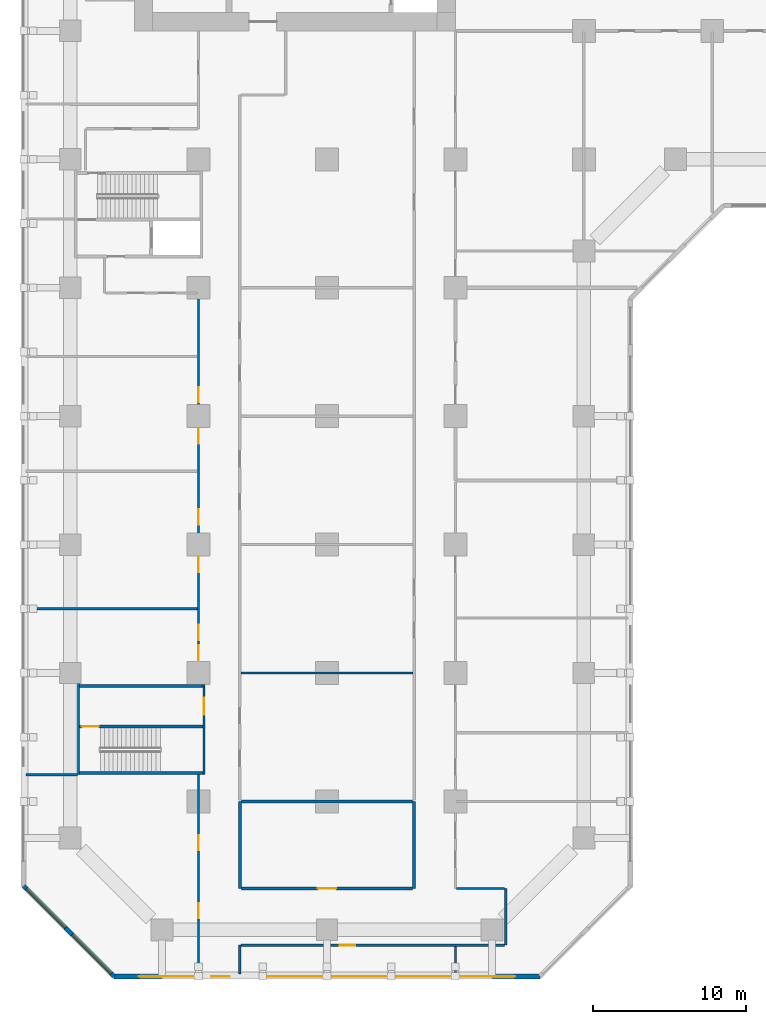
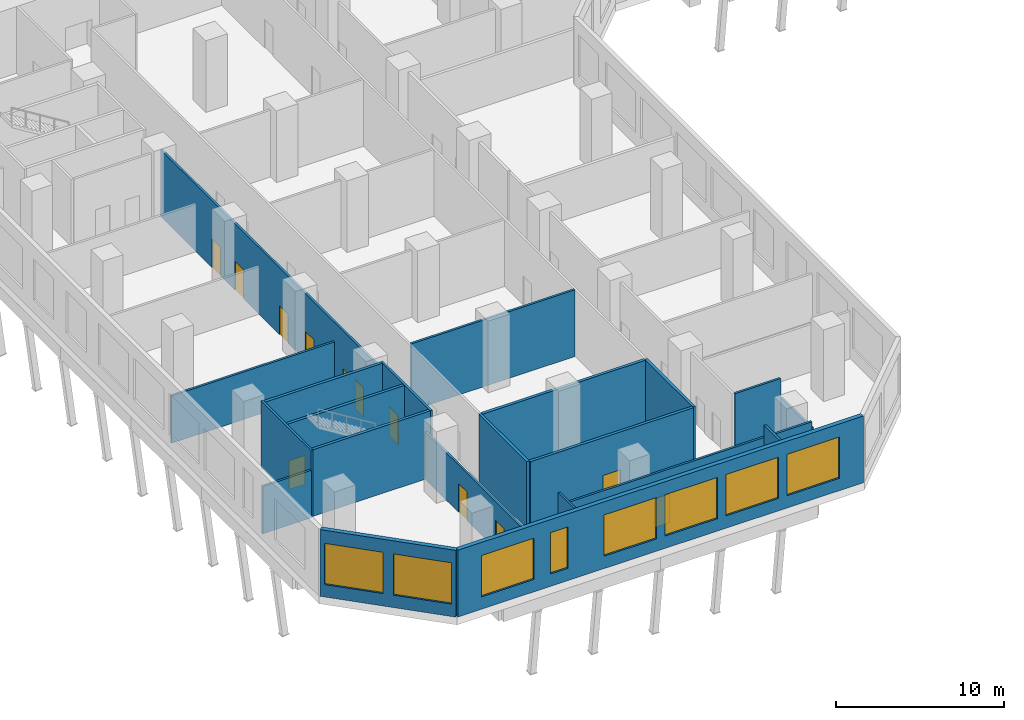
# One storey, part 3 of 21: 21 walls, 12 doors, 8 windows, 20 openings.
"""IFC4 building model written with IfcOpenShell, lengths in metres."""

import ifcopenshell
import ifcopenshell.guid

model = None  # the IFC model being written
_history = None  # IfcOwnerHistory: only IFC2X3 demands one
_inside = {}  # id of a spatial element -> (the spatial element, [elements in it])
_under = {}  # id of a project, library or spatial element -> (it, [spatial elements below it])
_declared = {}  # id of a project -> (the project, [libraries it declares])
_typed = {}  # id of a type object -> (the type object, [elements of that type])
_made_of = {}  # id of a material, layer set ... -> (it, [elements and type objects made of it])


def new_model(schema):
    """Start an empty IFC model of exactly this schema.

    Asked for "IFC4X3", IfcOpenShell would pick the latest addendum, in which some entities
    have other attributes; the version numbers below select the first issue.
    IFC2X3 requires an IfcOwnerHistory on every rooted entity: one is made here for all.
    """
    global model, _history
    if schema == "IFC4X3":
        model = ifcopenshell.file(schema_version=(4, 3, 0, 0))
    else:
        model = ifcopenshell.file(schema=schema)
    _inside.clear()
    _under.clear()
    _declared.clear()
    _typed.clear()
    _made_of.clear()
    _history = None
    if model.schema == "IFC2X3":
        org = make("IfcOrganization", Name="unknown")
        user = make(
            "IfcPersonAndOrganization",
            ThePerson=make("IfcPerson", FamilyName="unknown"),
            TheOrganization=org,
        )
        app = make(
            "IfcApplication",
            ApplicationDeveloper=org,
            Version="unknown",
            ApplicationFullName="unknown",
            ApplicationIdentifier="unknown",
        )
        _history = make(
            "IfcOwnerHistory",
            OwningUser=user,
            OwningApplication=app,
            ChangeAction="ADDED",
            CreationDate=0,
        )
    return model


def make(cls, **values):
    """One entity of the class cls with the attributes given. An attribute that is None is left unset."""
    return model.create_entity(
        cls, **{name: value for name, value in values.items() if value is not None}
    )


def rooted(cls, **values):
    """An entity with a GlobalId (a new one), such as an element, a storey or a relation."""
    return make(cls, GlobalId=ifcopenshell.guid.new(), OwnerHistory=_history, **values)


def si_unit(unit_type, name, prefix=None):
    """IfcSIUnit, for example si_unit("LENGTHUNIT", "METRE", prefix="MILLI")."""
    return make("IfcSIUnit", UnitType=unit_type, Prefix=prefix, Name=name)


def assignment(units):
    """IfcUnitAssignment: the units of a project."""
    return None if units is None else make("IfcUnitAssignment", Units=units)


def point(xyz):
    """IfcCartesianPoint."""
    return None if xyz is None else make("IfcCartesianPoint", Coordinates=xyz)


def direction(xyz):
    """IfcDirection."""
    return None if xyz is None else make("IfcDirection", DirectionRatios=xyz)


def frame(location, z_axis=None, x_axis=None):
    """IfcAxis2Placement3D, a coordinate frame: its origin and axes. An axis left out is left unset."""
    return make(
        "IfcAxis2Placement3D",
        Location=point(location),
        Axis=direction(z_axis),
        RefDirection=direction(x_axis),
    )


def frame_2d(location, x_axis=None):
    """IfcAxis2Placement2D, a coordinate frame in the plane: its origin and x axis."""
    return make(
        "IfcAxis2Placement2D", Location=point(location), RefDirection=direction(x_axis)
    )


def origin():
    """The frame at (0, 0, 0) with its axes left unset."""
    return frame((0.0, 0.0, 0.0))


def place(relative_to, where):
    """IfcLocalPlacement: puts the frame where relative to a parent placement (None: the world)."""
    return make(
        "IfcLocalPlacement", PlacementRelTo=relative_to, RelativePlacement=where
    )


def context(
    kind, dimensions, precision=None, world=None, true_north=None, identifier=None
):
    """IfcGeometricRepresentationContext, for example the 3D "Model" context."""
    return make(
        "IfcGeometricRepresentationContext",
        ContextIdentifier=identifier,
        ContextType=kind,
        CoordinateSpaceDimension=dimensions,
        Precision=precision,
        WorldCoordinateSystem=world,
        TrueNorth=true_north,
    )


def subcontext(parent, identifier, kind, view, scale=None):
    """IfcGeometricRepresentationSubContext, for example "Body" below "Model"."""
    return make(
        "IfcGeometricRepresentationSubContext",
        ContextIdentifier=identifier,
        ContextType=kind,
        ParentContext=parent,
        TargetScale=scale,
        TargetView=view,
    )


def project(units=None, contexts=None):
    """IfcProject with its units and contexts."""
    return rooted(
        "IfcProject",
        Name="project",
        RepresentationContexts=contexts,
        UnitsInContext=assignment(units),
    )


def spatial(cls, under=None, at=None, **own):
    """A site, building, storey or space (cls), placed at a placement, below another one or the project."""
    s = rooted(cls, ObjectPlacement=at, **own)
    if under is not None:
        _under.setdefault(under.id(), (under, []))[1].append(s)
    return s


def profile(cls, at=None, kind="AREA", **sizes):
    """A parametric profile (cls). Its sizes go by their IFC names, for example OverallWidth=200.0."""
    return make(cls, ProfileType=kind, Position=at, **sizes)


def rectangle(**sizes):
    """IfcRectangleProfileDef."""
    return profile("IfcRectangleProfileDef", **sizes)


def extrude(swept, where, along, depth):
    """IfcExtrudedAreaSolid: the profile swept, set in the frame where, extruded along a direction by depth."""
    return make(
        "IfcExtrudedAreaSolid",
        SweptArea=swept,
        Position=where,
        ExtrudedDirection=direction(along),
        Depth=depth,
    )


def shape(context_of_items, identifier, shape_type, items):
    """IfcShapeRepresentation: the items that make up one representation, for example the "Body"."""
    return make(
        "IfcShapeRepresentation",
        ContextOfItems=context_of_items,
        RepresentationIdentifier=identifier,
        RepresentationType=shape_type,
        Items=items,
    )


def material(Name=None, Category=None):
    """IfcMaterial."""
    return make("IfcMaterial", Name=Name, Category=Category)


def layer(
    of_material, thickness, ventilated=None, Name=None, Category=None, Priority=None
):
    """IfcMaterialLayer: one layer of a wall or slab, of a material (None: an air gap)."""
    return make(
        "IfcMaterialLayer",
        Material=of_material,
        LayerThickness=thickness,
        IsVentilated=ventilated,
        Name=Name,
        Category=Category,
        Priority=Priority,
    )


def layer_set(layers, Name=None):
    """IfcMaterialLayerSet."""
    return make("IfcMaterialLayerSet", MaterialLayers=layers, LayerSetName=Name)


def made_of(thing, what):
    """Note that an element or type object is made of a material, layer set ...; save() writes the relation."""
    if what is not None:
        _made_of.setdefault(what.id(), (what, []))[1].append(thing)
    return thing


def type_object(cls, material=None, **own):
    """A type object (cls), such as IfcWallType, which elements share."""
    return made_of(rooted(cls, **own), material)


def element(
    cls,
    number,
    at=None,
    inside=None,
    cuts=None,
    type_object=None,
    material=None,
    context=None,
    identifier="Body",
    shape_type=None,
    held_by="IfcProductDefinitionShape",
    body=None,
    shapes=None,
    **own,
):
    """One element of the class cls, such as IfcWall. Its Tag is "e" and its number.

    at: its placement. inside: the storey or other place that contains it. cuts: it is an
    opening in that element (IfcRelVoidsElement). A single representation is given by context,
    identifier, shape_type and body (its items); several are given by shapes. held_by: the class
    of the entity that holds the representations. save() writes the other relations.
    """
    e = rooted(cls, Tag="e%d" % number, ObjectPlacement=at, **own)
    if body is not None:
        shapes = [shape(context, identifier, shape_type, body)]
    if shapes is not None:
        e.Representation = make(held_by, Representations=shapes)
    if inside is not None:
        _inside.setdefault(inside.id(), (inside, []))[1].append(e)
    if cuts is not None:
        rooted(
            "IfcRelVoidsElement", RelatingBuildingElement=cuts, RelatedOpeningElement=e
        )
    if type_object is not None:
        _typed.setdefault(type_object.id(), (type_object, []))[1].append(e)
    return made_of(e, material)


def fill(opening, filler):
    """IfcRelFillsElement: the door or window that sits in an opening."""
    return rooted(
        "IfcRelFillsElement",
        RelatingOpeningElement=opening,
        RelatedBuildingElement=filler,
    )


def aggregate(whole, parts):
    """IfcRelAggregates: a whole, such as a stair, and the parts it consists of."""
    return rooted("IfcRelAggregates", RelatingObject=whole, RelatedObjects=parts)


def save(model, path):
    """Write the relations noted so far, then the file.

    IfcRelAggregates (storeys below a building ...), IfcRelContainedInSpatialStructure (elements
    in a storey), IfcRelDefinesByType, IfcRelAssociatesMaterial and IfcRelDeclares: one each for
    every whole, place, type object, material and project.
    """
    for whole, parts in _under.values():
        aggregate(whole, parts)
    for where, things in _inside.values():
        rooted(
            "IfcRelContainedInSpatialStructure",
            RelatedElements=things,
            RelatingStructure=where,
        )
    for kind, things in _typed.values():
        rooted("IfcRelDefinesByType", RelatedObjects=things, RelatingType=kind)
    for what, things in _made_of.values():
        rooted("IfcRelAssociatesMaterial", RelatedObjects=things, RelatingMaterial=what)
    for by, libraries in _declared.values():
        rooted("IfcRelDeclares", RelatingContext=by, RelatedDefinitions=libraries)
    model.write(path)


model = new_model("IFC4")

# Units and contexts
model_context = context("Model", 3, precision=1e-05, world=origin(), true_north=direction((0.0, 1.0)))
body_context = subcontext(model_context, "Body", "Model", "MODEL_VIEW")
ifc_project = project(units=[si_unit("LENGTHUNIT", "METRE"), si_unit("AREAUNIT", "SQUARE_METRE"), si_unit("VOLUMEUNIT", "CUBIC_METRE"), si_unit("PLANEANGLEUNIT", "RADIAN"), si_unit("MASSUNIT", "GRAM", prefix="KILO")], contexts=[model_context])

# Site, building, storey
site_placement = place(None, origin())
site = spatial("IfcSite", under=ifc_project, at=site_placement, CompositionType="ELEMENT")
building_placement = place(site_placement, origin())
building = spatial("IfcBuilding", under=site, at=building_placement, Name="Kawkab Arch Medical Tower", CompositionType="ELEMENT")
storey_placement = place(building_placement, frame((0.0, 0.0, 23.800048828125)))
storey = spatial("IfcBuildingStorey", under=building, at=storey_placement, Name="L05", CompositionType="ELEMENT", Elevation=23.800048828125)

# Wall, opening, door
ifc_material_1 = material(Name="Gypsum board partition on steel studs, mineral wool", Category="steel")
ifc_layer_1 = layer(ifc_material_1, 0.14990234375)
ifc_layer_set_1 = layer_set([ifc_layer_1], Name="Gypsum board partition on steel studs, mineral wool")
wall_type_1 = type_object("IfcWallType", Name="Partition 150", PredefinedType="PARTITIONING", material=ifc_layer_set_1)
wall_1_placement = place(storey_placement, frame((11.175048828125, -85.0, 0.0), z_axis=(0.0, 0.0, 1.0), x_axis=(1.0, 0.0, 0.0)))
wall_1 = element("IfcWall", 1, at=wall_1_placement, inside=storey, type_object=wall_type_1, Name="Partition 150 w001", PredefinedType="PARTITIONING", context=body_context, shape_type="SweptSolid", body=[
    extrude(rectangle(XDim=17.25, YDim=0.14990234375, at=frame_2d((8.625, 0.0))), origin(), (0.0, 0.0, 1.0), 3.949951171875),
])
opening_1_placement = place(wall_1_placement, frame((6.47509765625, 0.0, 0.0)))
opening_1 = element("IfcOpeningElement", 2, at=opening_1_placement, cuts=wall_1, Name="Opening P05-061", PredefinedType="OPENING", context=body_context, shape_type="SweptSolid", body=[
    extrude(rectangle(XDim=1.0, YDim=2.10009765625, at=frame_2d((0.5, 1.050048828125))), frame((0.0, 0.0849609375, 0.0), z_axis=(0.0, -1.0, 0.0), x_axis=(1.0, 0.0, 0.0)), (0.0, 0.0, 1.0), 0.169921875),
])
ifc_material_2 = material(Name="Hollow metal door leaf")
door_type_1 = type_object("IfcDoorType", Name="Single door 1000x2100 FD30S", OperationType="NOTDEFINED", PredefinedType="DOOR", material=ifc_material_2)
door_1_placement = place(opening_1_placement, origin())
door_1 = element("IfcDoor", 3, at=door_1_placement, inside=storey, type_object=door_type_1, Name="Door P05-061", OperationType="SINGLE_SWING_RIGHT", OverallHeight=2.10009765625, OverallWidth=1.0, PredefinedType="DOOR", context=body_context, shape_type="SweptSolid", body=[
    extrude(rectangle(XDim=1.0, YDim=2.10009765625, at=frame_2d((0.5, 1.050048828125))), frame((0.0, 0.02490234375, 0.0), z_axis=(0.0, -1.0, 0.0), x_axis=(1.0, 0.0, 0.0)), (0.0, 0.0, 1.0), 0.050048828125),
])
fill(opening_1, door_1)

# Walls
wall_2_placement = place(storey_placement, frame((25.27490234375, -81.300048828125, 0.0), z_axis=(0.0, 0.0, 1.0), x_axis=(1.0, 0.0, 0.0)))
element("IfcWall", 4, at=wall_2_placement, inside=storey, type_object=wall_type_1, Name="Partition 150 w002", PredefinedType="PARTITIONING", context=body_context, shape_type="SweptSolid", body=[
    extrude(rectangle(XDim=3.150146484375, YDim=0.14990234375, at=frame_2d((1.5751953125, 0.0))), origin(), (0.0, 0.0, 1.0), 4.849853515625),
])
wall_3_placement = place(storey_placement, frame((-2.8798828125, -73.85009765625, 0.0), z_axis=(0.0, 0.0, 1.0), x_axis=(1.0, 0.0, 0.0)))
element("IfcWall", 5, at=wall_3_placement, inside=storey, type_object=wall_type_1, Name="Partition 150 w004", PredefinedType="PARTITIONING", context=body_context, shape_type="SweptSolid", body=[
    extrude(rectangle(XDim=3.35498046875, YDim=0.14990234375, at=frame_2d((1.677490234375, 0.0))), origin(), (0.0, 0.0, 1.0), 3.449951171875),
])
wall_4_placement = place(storey_placement, frame((11.175048828125, -67.199951171875, 0.0), z_axis=(0.0, 0.0, 1.0), x_axis=(1.0, 0.0, 0.0)))
element("IfcWall", 6, at=wall_4_placement, inside=storey, type_object=wall_type_1, Name="Partition 150 w006", PredefinedType="PARTITIONING", context=body_context, shape_type="SweptSolid", body=[
    extrude(rectangle(XDim=11.25, YDim=0.14990234375, at=frame_2d((5.625, 0.0))), origin(), (0.0, 0.0, 1.0), 4.849853515625),
])
wall_5_placement = place(storey_placement, frame((-2.8798828125, -63.0, 0.0), z_axis=(0.0, 0.0, 1.0), x_axis=(1.0, 0.0, 0.0)))
element("IfcWall", 7, at=wall_5_placement, inside=storey, type_object=wall_type_1, Name="Partition 150 w008", PredefinedType="PARTITIONING", context=body_context, shape_type="SweptSolid", body=[
    extrude(rectangle(XDim=11.204833984375, YDim=0.14990234375, at=frame_2d((5.6025390625, 0.0))), origin(), (0.0, 0.0, 1.0), 3.449951171875),
])

# Wall, openings, doors
wall_6_placement = place(storey_placement, frame((8.39990234375, -86.8798828125, 0.0), z_axis=(0.0, 0.0, 1.0), x_axis=(0.0, 1.0, 0.0)))
wall_6 = element("IfcWall", 8, at=wall_6_placement, inside=storey, type_object=wall_type_1, Name="Partition 150 w036", PredefinedType="PARTITIONING", context=body_context, shape_type="SweptSolid", body=[
    extrude(rectangle(XDim=13.02978515625, YDim=0.14990234375, at=frame_2d((6.514892578125, 0.0))), origin(), (0.0, 0.0, 1.0), 3.449951171875),
])
opening_2_placement = place(wall_6_placement, frame((3.6298828125, 0.0, 0.0)))
opening_2 = element("IfcOpeningElement", 9, at=opening_2_placement, cuts=wall_6, Name="Opening P05-042", PredefinedType="OPENING", context=body_context, shape_type="SweptSolid", body=[
    extrude(rectangle(XDim=1.0, YDim=2.10009765625, at=frame_2d((0.5, 1.050048828125))), frame((0.0, 0.0849609375, 0.0), z_axis=(0.0, -1.0, 0.0), x_axis=(1.0, 0.0, 0.0)), (0.0, 0.0, 1.0), 0.169921875),
])
opening_3_placement = place(wall_6_placement, frame((8.080078125, 0.0, 0.0)))
opening_3 = element("IfcOpeningElement", 10, at=opening_3_placement, cuts=wall_6, Name="Opening P05-043", PredefinedType="OPENING", context=body_context, shape_type="SweptSolid", body=[
    extrude(rectangle(XDim=1.0, YDim=2.10009765625, at=frame_2d((0.5, 1.050048828125))), frame((0.0, 0.0849609375, 0.0), z_axis=(0.0, -1.0, 0.0), x_axis=(1.0, 0.0, 0.0)), (0.0, 0.0, 1.0), 0.169921875),
])
door_2_placement = place(opening_2_placement, origin())
door_2 = element("IfcDoor", 11, at=door_2_placement, inside=storey, type_object=door_type_1, Name="Door P05-042", OperationType="SINGLE_SWING_LEFT", OverallHeight=2.10009765625, OverallWidth=1.0, PredefinedType="DOOR", context=body_context, shape_type="SweptSolid", body=[
    extrude(rectangle(XDim=1.0, YDim=2.10009765625, at=frame_2d((0.5, 1.050048828125))), frame((0.0, 0.02490234375, 0.0), z_axis=(0.0, -1.0, 0.0), x_axis=(1.0, 0.0, 0.0)), (0.0, 0.0, 1.0), 0.050048828125),
])
fill(opening_2, door_2)
door_3_placement = place(opening_3_placement, origin())
door_3 = element("IfcDoor", 12, at=door_3_placement, inside=storey, type_object=door_type_1, Name="Door P05-043", OperationType="SINGLE_SWING_RIGHT", OverallHeight=2.10009765625, OverallWidth=1.0, PredefinedType="DOOR", context=body_context, shape_type="SweptSolid", body=[
    extrude(rectangle(XDim=1.0, YDim=2.10009765625, at=frame_2d((0.5, 1.050048828125))), frame((0.0, 0.02490234375, 0.0), z_axis=(0.0, -1.0, 0.0), x_axis=(1.0, 0.0, 0.0)), (0.0, 0.0, 1.0), 0.050048828125),
])
fill(opening_3, door_3)

wall_7_placement = place(storey_placement, frame((8.39990234375, -67.947021484375, 0.0), z_axis=(0.0, 0.0, 1.0), x_axis=(0.0, 1.0, 0.0)))
wall_7 = element("IfcWall", 13, at=wall_7_placement, inside=storey, type_object=wall_type_1, Name="Partition 150 w037", PredefinedType="PARTITIONING", context=body_context, shape_type="SweptSolid", body=[
    extrude(rectangle(XDim=25.596923828125, YDim=0.14990234375, at=frame_2d((12.79833984375, 0.0))), origin(), (0.0, 0.0, 1.0), 4.849853515625),
])
opening_4_placement = place(wall_7_placement, frame((15.7470703125, 0.0, 0.0)))
opening_4 = element("IfcOpeningElement", 14, at=opening_4_placement, cuts=wall_7, Name="Opening P05-036", PredefinedType="OPENING", context=body_context, shape_type="SweptSolid", body=[
    extrude(rectangle(XDim=1.0, YDim=2.10009765625, at=frame_2d((0.5, 1.050048828125))), frame((0.0, 0.0849609375, 0.0), z_axis=(0.0, -1.0, 0.0), x_axis=(1.0, 0.0, 0.0)), (0.0, 0.0, 1.0), 0.169921875),
])
opening_5_placement = place(wall_7_placement, frame((18.447021484375, 0.0, 0.0)))
opening_5 = element("IfcOpeningElement", 15, at=opening_5_placement, cuts=wall_7, Name="Opening P05-037", PredefinedType="OPENING", context=body_context, shape_type="SweptSolid", body=[
    extrude(rectangle(XDim=1.0, YDim=2.10009765625, at=frame_2d((0.5, 1.050048828125))), frame((0.0, 0.0849609375, 0.0), z_axis=(0.0, -1.0, 0.0), x_axis=(1.0, 0.0, 0.0)), (0.0, 0.0, 1.0), 0.169921875),
])
opening_6_placement = place(wall_7_placement, frame((7.346923828125, 0.0, 0.0)))
opening_6 = element("IfcOpeningElement", 16, at=opening_6_placement, cuts=wall_7, Name="Opening P05-038", PredefinedType="OPENING", context=body_context, shape_type="SweptSolid", body=[
    extrude(rectangle(XDim=1.0, YDim=2.10009765625, at=frame_2d((0.5, 1.050048828125))), frame((0.0, 0.0849609375, 0.0), z_axis=(0.0, -1.0, 0.0), x_axis=(1.0, 0.0, 0.0)), (0.0, 0.0, 1.0), 0.169921875),
])
opening_7_placement = place(wall_7_placement, frame((10.447021484375, 0.0, 0.0)))
opening_7 = element("IfcOpeningElement", 17, at=opening_7_placement, cuts=wall_7, Name="Opening P05-039", PredefinedType="OPENING", context=body_context, shape_type="SweptSolid", body=[
    extrude(rectangle(XDim=1.0, YDim=2.10009765625, at=frame_2d((0.5, 1.050048828125))), frame((0.0, 0.0849609375, 0.0), z_axis=(0.0, -1.0, 0.0), x_axis=(1.0, 0.0, 0.0)), (0.0, 0.0, 1.0), 0.169921875),
])
opening_8_placement = place(wall_7_placement, frame((1.549072265625, 0.0, 0.0)))
opening_8 = element("IfcOpeningElement", 18, at=opening_8_placement, cuts=wall_7, Name="Opening P05-040", PredefinedType="OPENING", context=body_context, shape_type="SweptSolid", body=[
    extrude(rectangle(XDim=1.0, YDim=2.10009765625, at=frame_2d((0.5, 1.050048828125))), frame((0.0, 0.0849609375, 0.0), z_axis=(0.0, -1.0, 0.0), x_axis=(1.0, 0.0, 0.0)), (0.0, 0.0, 1.0), 0.169921875),
])
opening_9_placement = place(wall_7_placement, frame((2.89794921875, 0.0, 0.0)))
opening_9 = element("IfcOpeningElement", 19, at=opening_9_placement, cuts=wall_7, Name="Opening P05-041", PredefinedType="OPENING", context=body_context, shape_type="SweptSolid", body=[
    extrude(rectangle(XDim=1.0, YDim=2.10009765625, at=frame_2d((0.5, 1.050048828125))), frame((0.0, 0.0849609375, 0.0), z_axis=(0.0, -1.0, 0.0), x_axis=(1.0, 0.0, 0.0)), (0.0, 0.0, 1.0), 0.169921875),
])
door_4_placement = place(opening_4_placement, origin())
door_4 = element("IfcDoor", 20, at=door_4_placement, inside=storey, type_object=door_type_1, Name="Door P05-036", OperationType="SINGLE_SWING_RIGHT", OverallHeight=2.10009765625, OverallWidth=1.0, PredefinedType="DOOR", context=body_context, shape_type="SweptSolid", body=[
    extrude(rectangle(XDim=1.0, YDim=2.10009765625, at=frame_2d((0.5, 1.050048828125))), frame((0.0, 0.02490234375, 0.0), z_axis=(0.0, -1.0, 0.0), x_axis=(1.0, 0.0, 0.0)), (0.0, 0.0, 1.0), 0.050048828125),
])
fill(opening_4, door_4)
door_5_placement = place(opening_5_placement, origin())
door_5 = element("IfcDoor", 21, at=door_5_placement, inside=storey, type_object=door_type_1, Name="Door P05-037", OperationType="SINGLE_SWING_RIGHT", OverallHeight=2.10009765625, OverallWidth=1.0, PredefinedType="DOOR", context=body_context, shape_type="SweptSolid", body=[
    extrude(rectangle(XDim=1.0, YDim=2.10009765625, at=frame_2d((0.5, 1.050048828125))), frame((0.0, 0.02490234375, 0.0), z_axis=(0.0, -1.0, 0.0), x_axis=(1.0, 0.0, 0.0)), (0.0, 0.0, 1.0), 0.050048828125),
])
fill(opening_5, door_5)
door_6_placement = place(opening_6_placement, origin())
door_6 = element("IfcDoor", 22, at=door_6_placement, inside=storey, type_object=door_type_1, Name="Door P05-038", OperationType="SINGLE_SWING_LEFT", OverallHeight=2.10009765625, OverallWidth=1.0, PredefinedType="DOOR", context=body_context, shape_type="SweptSolid", body=[
    extrude(rectangle(XDim=1.0, YDim=2.10009765625, at=frame_2d((0.5, 1.050048828125))), frame((0.0, 0.02490234375, 0.0), z_axis=(0.0, -1.0, 0.0), x_axis=(1.0, 0.0, 0.0)), (0.0, 0.0, 1.0), 0.050048828125),
])
fill(opening_6, door_6)
door_7_placement = place(opening_7_placement, origin())
door_7 = element("IfcDoor", 23, at=door_7_placement, inside=storey, type_object=door_type_1, Name="Door P05-039", OperationType="SINGLE_SWING_LEFT", OverallHeight=2.10009765625, OverallWidth=1.0, PredefinedType="DOOR", context=body_context, shape_type="SweptSolid", body=[
    extrude(rectangle(XDim=1.0, YDim=2.10009765625, at=frame_2d((0.5, 1.050048828125))), frame((0.0, 0.02490234375, 0.0), z_axis=(0.0, -1.0, 0.0), x_axis=(1.0, 0.0, 0.0)), (0.0, 0.0, 1.0), 0.050048828125),
])
fill(opening_7, door_7)
door_8_placement = place(opening_8_placement, origin())
door_8 = element("IfcDoor", 24, at=door_8_placement, inside=storey, type_object=door_type_1, Name="Door P05-040", OperationType="SINGLE_SWING_LEFT", OverallHeight=2.10009765625, OverallWidth=1.0, PredefinedType="DOOR", context=body_context, shape_type="SweptSolid", body=[
    extrude(rectangle(XDim=1.0, YDim=2.10009765625, at=frame_2d((0.5, 1.050048828125))), frame((0.0, 0.02490234375, 0.0), z_axis=(0.0, -1.0, 0.0), x_axis=(1.0, 0.0, 0.0)), (0.0, 0.0, 1.0), 0.050048828125),
])
fill(opening_8, door_8)
door_9_placement = place(opening_9_placement, origin())
door_9 = element("IfcDoor", 25, at=door_9_placement, inside=storey, type_object=door_type_1, Name="Door P05-041", OperationType="SINGLE_SWING_LEFT", OverallHeight=2.10009765625, OverallWidth=1.0, PredefinedType="DOOR", context=body_context, shape_type="SweptSolid", body=[
    extrude(rectangle(XDim=1.0, YDim=2.10009765625, at=frame_2d((0.5, 1.050048828125))), frame((0.0, 0.02490234375, 0.0), z_axis=(0.0, -1.0, 0.0), x_axis=(1.0, 0.0, 0.0)), (0.0, 0.0, 1.0), 0.050048828125),
])
fill(opening_9, door_9)

# Walls
wall_8_placement = place(storey_placement, frame((11.10009765625, -86.8798828125, 0.0), z_axis=(0.0, 0.0, 1.0), x_axis=(0.0, 1.0, 0.0)))
element("IfcWall", 26, at=wall_8_placement, inside=storey, type_object=wall_type_1, Name="Partition 150 w039", PredefinedType="PARTITIONING", context=body_context, shape_type="SweptSolid", body=[
    extrude(rectangle(XDim=1.8798828125, YDim=0.14990234375, at=frame_2d((0.93994140625, 0.0))), origin(), (0.0, 0.0, 1.0), 4.849853515625),
])
wall_9_placement = place(storey_placement, frame((25.199951171875, -86.8798828125, 0.0), z_axis=(0.0, 0.0, 1.0), x_axis=(0.0, 1.0, 0.0)))
element("IfcWall", 27, at=wall_9_placement, inside=storey, type_object=wall_type_1, Name="Partition 150 w043", PredefinedType="PARTITIONING", context=body_context, shape_type="SweptSolid", body=[
    extrude(rectangle(XDim=1.804931640625, YDim=0.14990234375, at=frame_2d((0.90234375, 0.0))), origin(), (0.0, 0.0, 1.0), 4.849853515625),
])
wall_10_placement = place(storey_placement, frame((28.5, -85.0, 0.0), z_axis=(0.0, 0.0, 1.0), x_axis=(0.0, 1.0, 0.0)))
element("IfcWall", 28, at=wall_10_placement, inside=storey, type_object=wall_type_1, Name="Partition 150 w046", PredefinedType="PARTITIONING", context=body_context, shape_type="SweptSolid", body=[
    extrude(rectangle(XDim=3.699951171875, YDim=0.14990234375, at=frame_2d((1.85009765625, 0.0))), origin(), (0.0, 0.0, 1.0), 3.449951171875),
])

# Wall, openings, windows
ifc_material_3 = material(Name="Bronze clad insulated wall panel")
ifc_layer_2 = layer(ifc_material_3, 0.300048828125)
ifc_layer_set_2 = layer_set([ifc_layer_2], Name="Bronze clad insulated wall panel")
wall_type_2 = type_object("IfcWallType", Name="Podium external wall 300", PredefinedType="SOLIDWALL", material=ifc_layer_set_2)
wall_11_placement = place(storey_placement, frame((-3.050048828125, -81.137939453125, 0.0), z_axis=(0.0, 0.0, 1.0), x_axis=(0.707106781187, -0.707106781187, 0.0)))
wall_11 = element("IfcWall", 29, at=wall_11_placement, inside=storey, type_object=wall_type_2, Name="Podium external wall L05 R03", PredefinedType="SOLIDWALL", context=body_context, shape_type="SweptSolid", body=[
    extrude(rectangle(XDim=8.361083984375, YDim=0.300048828125, at=frame_2d((4.1806640625, 0.0))), origin(), (0.0, 0.0, 1.0), 4.849853515625),
])
opening_10_placement = place(wall_11_placement, frame((0.259033203125, 0.0, 0.89990234375)))
opening_10 = element("IfcOpeningElement", 30, at=opening_10_placement, cuts=wall_11, Name="Opening PBW360-30-S9", PredefinedType="OPENING", context=body_context, shape_type="SweptSolid", body=[
    extrude(rectangle(XDim=3.60009765625, YDim=3.0, at=frame_2d((1.800048828125, 1.5))), frame((0.0, 0.159912109375, 0.0), z_axis=(0.0, -1.0, 0.0), x_axis=(1.0, 0.0, 0.0)), (0.0, 0.0, 1.0), 0.320068359375),
])
opening_11_placement = place(wall_11_placement, frame((4.501708984375, 0.0, 0.89990234375)))
opening_11 = element("IfcOpeningElement", 31, at=opening_11_placement, cuts=wall_11, Name="Opening PBW360-30-S9", PredefinedType="OPENING", context=body_context, shape_type="SweptSolid", body=[
    extrude(rectangle(XDim=3.60009765625, YDim=3.0, at=frame_2d((1.800048828125, 1.5))), frame((0.0, 0.159912109375, 0.0), z_axis=(0.0, -1.0, 0.0), x_axis=(1.0, 0.0, 0.0)), (0.0, 0.0, 1.0), 0.320068359375),
])
ifc_material_4 = material(Name="Bronze anodised aluminium louvred window", Category="aluminium")
window_type_1 = type_object("IfcWindowType", Name="Podium band window 3600 x 3000 sill 900", PartitioningType="DOUBLE_PANEL_VERTICAL", PredefinedType="WINDOW", material=ifc_material_4)
window_1_placement = place(opening_10_placement, origin())
window_1 = element("IfcWindow", 32, at=window_1_placement, inside=storey, type_object=window_type_1, Name="Band window L05 R03.1", OverallHeight=3.0, OverallWidth=3.60009765625, PartitioningType="SINGLE_PANEL", PredefinedType="WINDOW", context=body_context, shape_type="SweptSolid", body=[
    extrude(rectangle(XDim=3.60009765625, YDim=3.0, at=frame_2d((1.800048828125, 1.5))), frame((0.0, 0.030029296875, 0.0), z_axis=(0.0, -1.0, 0.0), x_axis=(1.0, 0.0, 0.0)), (0.0, 0.0, 1.0), 0.06005859375),
])
fill(opening_10, window_1)
window_2_placement = place(opening_11_placement, origin())
window_2 = element("IfcWindow", 33, at=window_2_placement, inside=storey, type_object=window_type_1, Name="Band window L05 R03.2", OverallHeight=3.0, OverallWidth=3.60009765625, PartitioningType="SINGLE_PANEL", PredefinedType="WINDOW", context=body_context, shape_type="SweptSolid", body=[
    extrude(rectangle(XDim=3.60009765625, YDim=3.0, at=frame_2d((1.800048828125, 1.5))), frame((0.0, 0.030029296875, 0.0), z_axis=(0.0, -1.0, 0.0), x_axis=(1.0, 0.0, 0.0)), (0.0, 0.0, 1.0), 0.06005859375),
])
fill(opening_11, window_2)

wall_12_placement = place(storey_placement, frame((2.862060546875, -87.050048828125, 0.0), z_axis=(0.0, 0.0, 1.0), x_axis=(1.0, 0.0, 0.0)))
wall_12 = element("IfcWall", 34, at=wall_12_placement, inside=storey, type_object=wall_type_2, Name="Podium external wall L05 R04", PredefinedType="SOLIDWALL", context=body_context, shape_type="SweptSolid", body=[
    extrude(rectangle(XDim=27.875732421875, YDim=0.300048828125, at=frame_2d((13.93798828125, 0.0))), origin(), (0.0, 0.0, 1.0), 4.849853515625),
])
opening_12_placement = place(wall_12_placement, frame((1.637939453125, 0.0, 0.89990234375)))
opening_12 = element("IfcOpeningElement", 35, at=opening_12_placement, cuts=wall_12, Name="Opening PBW360-30-S9", PredefinedType="OPENING", context=body_context, shape_type="SweptSolid", body=[
    extrude(rectangle(XDim=3.60009765625, YDim=3.0, at=frame_2d((1.800048828125, 1.5))), frame((0.0, 0.159912109375, 0.0), z_axis=(0.0, -1.0, 0.0), x_axis=(1.0, 0.0, 0.0)), (0.0, 0.0, 1.0), 0.320068359375),
])
opening_13_placement = place(wall_12_placement, frame((6.36279296875, 0.0, 0.89990234375)))
opening_13 = element("IfcOpeningElement", 36, at=opening_13_placement, cuts=wall_12, Name="Opening PBW120-30-S9", PredefinedType="OPENING", context=body_context, shape_type="SweptSolid", body=[
    extrude(rectangle(XDim=1.199951171875, YDim=3.0, at=frame_2d((0.60009765625, 1.5))), frame((0.0, 0.159912109375, 0.0), z_axis=(0.0, -1.0, 0.0), x_axis=(1.0, 0.0, 0.0)), (0.0, 0.0, 1.0), 0.320068359375),
])
opening_14_placement = place(wall_12_placement, frame((10.037841796875, 0.0, 0.89990234375)))
opening_14 = element("IfcOpeningElement", 37, at=opening_14_placement, cuts=wall_12, Name="Opening PBW360-30-S9", PredefinedType="OPENING", context=body_context, shape_type="SweptSolid", body=[
    extrude(rectangle(XDim=3.60009765625, YDim=3.0, at=frame_2d((1.800048828125, 1.5))), frame((0.0, 0.159912109375, 0.0), z_axis=(0.0, -1.0, 0.0), x_axis=(1.0, 0.0, 0.0)), (0.0, 0.0, 1.0), 0.320068359375),
])
opening_15_placement = place(wall_12_placement, frame((14.23779296875, 0.0, 0.89990234375)))
opening_15 = element("IfcOpeningElement", 38, at=opening_15_placement, cuts=wall_12, Name="Opening PBW360-30-S9", PredefinedType="OPENING", context=body_context, shape_type="SweptSolid", body=[
    extrude(rectangle(XDim=3.60009765625, YDim=3.0, at=frame_2d((1.800048828125, 1.5))), frame((0.0, 0.159912109375, 0.0), z_axis=(0.0, -1.0, 0.0), x_axis=(1.0, 0.0, 0.0)), (0.0, 0.0, 1.0), 0.320068359375),
])
opening_16_placement = place(wall_12_placement, frame((18.43798828125, 0.0, 0.89990234375)))
opening_16 = element("IfcOpeningElement", 39, at=opening_16_placement, cuts=wall_12, Name="Opening PBW360-30-S9", PredefinedType="OPENING", context=body_context, shape_type="SweptSolid", body=[
    extrude(rectangle(XDim=3.60009765625, YDim=3.0, at=frame_2d((1.800048828125, 1.5))), frame((0.0, 0.159912109375, 0.0), z_axis=(0.0, -1.0, 0.0), x_axis=(1.0, 0.0, 0.0)), (0.0, 0.0, 1.0), 0.320068359375),
])
opening_17_placement = place(wall_12_placement, frame((22.637939453125, 0.0, 0.89990234375)))
opening_17 = element("IfcOpeningElement", 40, at=opening_17_placement, cuts=wall_12, Name="Opening PBW360-30-S9", PredefinedType="OPENING", context=body_context, shape_type="SweptSolid", body=[
    extrude(rectangle(XDim=3.60009765625, YDim=3.0, at=frame_2d((1.800048828125, 1.5))), frame((0.0, 0.159912109375, 0.0), z_axis=(0.0, -1.0, 0.0), x_axis=(1.0, 0.0, 0.0)), (0.0, 0.0, 1.0), 0.320068359375),
])
ifc_material_5 = material(Name="Bronze anodised aluminium louvred window", Category="aluminium")
window_type_2 = type_object("IfcWindowType", Name="Podium band window 1200 x 3000 sill 900", PartitioningType="DOUBLE_PANEL_VERTICAL", PredefinedType="WINDOW", material=ifc_material_5)
window_3_placement = place(opening_13_placement, origin())
window_3 = element("IfcWindow", 41, at=window_3_placement, inside=storey, type_object=window_type_2, Name="Band window L05 R04.2", OverallHeight=3.0, OverallWidth=1.199951171875, PartitioningType="SINGLE_PANEL", PredefinedType="WINDOW", context=body_context, shape_type="SweptSolid", body=[
    extrude(rectangle(XDim=1.199951171875, YDim=3.0, at=frame_2d((0.60009765625, 1.5))), frame((0.0, 0.030029296875, 0.0), z_axis=(0.0, -1.0, 0.0), x_axis=(1.0, 0.0, 0.0)), (0.0, 0.0, 1.0), 0.06005859375),
])
fill(opening_13, window_3)
window_4_placement = place(opening_12_placement, origin())
window_4 = element("IfcWindow", 42, at=window_4_placement, inside=storey, type_object=window_type_1, Name="Band window L05 R04.1", OverallHeight=3.0, OverallWidth=3.60009765625, PartitioningType="SINGLE_PANEL", PredefinedType="WINDOW", context=body_context, shape_type="SweptSolid", body=[
    extrude(rectangle(XDim=3.60009765625, YDim=3.0, at=frame_2d((1.800048828125, 1.5))), frame((0.0, 0.030029296875, 0.0), z_axis=(0.0, -1.0, 0.0), x_axis=(1.0, 0.0, 0.0)), (0.0, 0.0, 1.0), 0.06005859375),
])
fill(opening_12, window_4)
window_5_placement = place(opening_14_placement, origin())
window_5 = element("IfcWindow", 43, at=window_5_placement, inside=storey, type_object=window_type_1, Name="Band window L05 R04.3", OverallHeight=3.0, OverallWidth=3.60009765625, PartitioningType="SINGLE_PANEL", PredefinedType="WINDOW", context=body_context, shape_type="SweptSolid", body=[
    extrude(rectangle(XDim=3.60009765625, YDim=3.0, at=frame_2d((1.800048828125, 1.5))), frame((0.0, 0.030029296875, 0.0), z_axis=(0.0, -1.0, 0.0), x_axis=(1.0, 0.0, 0.0)), (0.0, 0.0, 1.0), 0.06005859375),
])
fill(opening_14, window_5)
window_6_placement = place(opening_15_placement, origin())
window_6 = element("IfcWindow", 44, at=window_6_placement, inside=storey, type_object=window_type_1, Name="Band window L05 R04.4", OverallHeight=3.0, OverallWidth=3.60009765625, PartitioningType="SINGLE_PANEL", PredefinedType="WINDOW", context=body_context, shape_type="SweptSolid", body=[
    extrude(rectangle(XDim=3.60009765625, YDim=3.0, at=frame_2d((1.800048828125, 1.5))), frame((0.0, 0.030029296875, 0.0), z_axis=(0.0, -1.0, 0.0), x_axis=(1.0, 0.0, 0.0)), (0.0, 0.0, 1.0), 0.06005859375),
])
fill(opening_15, window_6)
window_7_placement = place(opening_16_placement, origin())
window_7 = element("IfcWindow", 45, at=window_7_placement, inside=storey, type_object=window_type_1, Name="Band window L05 R04.5", OverallHeight=3.0, OverallWidth=3.60009765625, PartitioningType="SINGLE_PANEL", PredefinedType="WINDOW", context=body_context, shape_type="SweptSolid", body=[
    extrude(rectangle(XDim=3.60009765625, YDim=3.0, at=frame_2d((1.800048828125, 1.5))), frame((0.0, 0.030029296875, 0.0), z_axis=(0.0, -1.0, 0.0), x_axis=(1.0, 0.0, 0.0)), (0.0, 0.0, 1.0), 0.06005859375),
])
fill(opening_16, window_7)
window_8_placement = place(opening_17_placement, origin())
window_8 = element("IfcWindow", 46, at=window_8_placement, inside=storey, type_object=window_type_1, Name="Band window L05 R04.6", OverallHeight=3.0, OverallWidth=3.60009765625, PartitioningType="SINGLE_PANEL", PredefinedType="WINDOW", context=body_context, shape_type="SweptSolid", body=[
    extrude(rectangle(XDim=3.60009765625, YDim=3.0, at=frame_2d((1.800048828125, 1.5))), frame((0.0, 0.030029296875, 0.0), z_axis=(0.0, -1.0, 0.0), x_axis=(1.0, 0.0, 0.0)), (0.0, 0.0, 1.0), 0.06005859375),
])
fill(opening_17, window_8)

# Wall, opening, door
ifc_material_6 = material(Name="Fire-rated gypsum board partition on steel studs", Category="steel")
ifc_layer_3 = layer(ifc_material_6, 0.199951171875)
ifc_layer_set_3 = layer_set([ifc_layer_3], Name="Fire-rated gypsum board partition on steel studs")
wall_type_3 = type_object("IfcWallType", Name="Protected partition 200", PredefinedType="PARTITIONING", material=ifc_layer_set_3)
wall_13_placement = place(storey_placement, frame((11.199951171875, -81.300048828125, 0.0), z_axis=(0.0, 0.0, 1.0), x_axis=(1.0, 0.0, 0.0)))
wall_13 = element("IfcWall", 47, at=wall_13_placement, inside=storey, type_object=wall_type_3, Name="Protected partition 200 w069", PredefinedType="PARTITIONING", context=body_context, shape_type="SweptSolid", body=[
    extrude(rectangle(XDim=11.199951171875, YDim=0.199951171875, at=frame_2d((5.60009765625, 0.0))), origin(), (0.0, 0.0, 1.0), 4.849853515625),
])
opening_18_placement = place(wall_13_placement, frame((5.0, 0.0, 0.0)))
opening_18 = element("IfcOpeningElement", 48, at=opening_18_placement, cuts=wall_13, Name="Opening P05-066", PredefinedType="OPENING", context=body_context, shape_type="SweptSolid", body=[
    extrude(rectangle(XDim=1.199951171875, YDim=2.10009765625, at=frame_2d((0.60009765625, 1.050048828125))), frame((0.0, 0.10986328125, 0.0), z_axis=(0.0, -1.0, 0.0), x_axis=(1.0, 0.0, 0.0)), (0.0, 0.0, 1.0), 0.219970703125),
])
ifc_material_7 = material(Name="Hollow metal door leaf")
door_type_2 = type_object("IfcDoorType", Name="Single door 1200x2100 FD60", OperationType="NOTDEFINED", PredefinedType="DOOR", material=ifc_material_7)
door_10_placement = place(opening_18_placement, origin())
door_10 = element("IfcDoor", 49, at=door_10_placement, inside=storey, type_object=door_type_2, Name="Door P05-066", OperationType="SINGLE_SWING_LEFT", OverallHeight=2.10009765625, OverallWidth=1.199951171875, PredefinedType="DOOR", context=body_context, shape_type="SweptSolid", body=[
    extrude(rectangle(XDim=1.199951171875, YDim=2.10009765625, at=frame_2d((0.60009765625, 1.050048828125))), frame((0.0, 0.02490234375, 0.0), z_axis=(0.0, -1.0, 0.0), x_axis=(1.0, 0.0, 0.0)), (0.0, 0.0, 1.0), 0.050048828125),
])
fill(opening_18, door_10)

# Walls
wall_14_placement = place(storey_placement, frame((11.199951171875, -75.60009765625, 0.0), z_axis=(0.0, 0.0, 1.0), x_axis=(1.0, 0.0, 0.0)))
element("IfcWall", 50, at=wall_14_placement, inside=storey, type_object=wall_type_3, Name="Protected partition 200 w070", PredefinedType="PARTITIONING", context=body_context, shape_type="SweptSolid", body=[
    extrude(rectangle(XDim=11.199951171875, YDim=0.199951171875, at=frame_2d((5.60009765625, 0.0))), origin(), (0.0, 0.0, 1.0), 4.849853515625),
])
for number, where, z_axis, x_axis, name in (
    (51, (11.10009765625, -81.300048828125, 0.0), (0.0, 0.0, 1.0), (0.0, 1.0, 0.0), "Protected partition 200 w076"),
    (52, (22.5, -81.300048828125, 0.0), (0.0, 0.0, 1.0), (0.0, 1.0, 0.0), "Protected partition 200 w077"),
):
    element("IfcWall", number, at=place(storey_placement, frame(where, z_axis=z_axis, x_axis=x_axis)), inside=storey, type_object=wall_type_3, Name=name, PredefinedType="PARTITIONING", context=body_context, shape_type="SweptSolid", body=[
        extrude(rectangle(XDim=5.699951171875, YDim=0.199951171875, at=frame_2d((2.85009765625, 0.0))), origin(), (0.0, 0.0, 1.0), 4.849853515625),
    ])
ifc_material_8 = material(Name="Concrete C50/60", Category="concrete")
ifc_layer_4 = layer(ifc_material_8, 0.14990234375)
ifc_layer_set_4 = layer_set([ifc_layer_4], Name="Concrete C50/60")
wall_type_4 = type_object("IfcWallType", Name="Stair enclosure wall 150 C50/60", PredefinedType="SHEAR", material=ifc_layer_set_4)
wall_15_placement = place(storey_placement, frame((0.550048828125, -73.85009765625, 0.0), z_axis=(0.0, 0.0, 1.0), x_axis=(0.0, 1.0, 0.0)))
element("IfcWall", 53, at=wall_15_placement, inside=storey, type_object=wall_type_4, Name="L05 stair enclosure wall", PredefinedType="SHEAR", context=body_context, shape_type="SweptSolid", body=[
    extrude(rectangle(XDim=5.9501953125, YDim=0.14990234375, at=frame_2d((2.97509765625, 0.0))), origin(), (0.0, 0.0, 1.0), 4.849853515625),
])

# Wall, opening, door
wall_16_placement = place(storey_placement, frame((8.75, -73.85009765625, 0.0), z_axis=(0.0, 0.0, 1.0), x_axis=(0.0, 1.0, 0.0)))
wall_16 = element("IfcWall", 54, at=wall_16_placement, inside=storey, type_object=wall_type_4, Name="L05 stair enclosure wall", PredefinedType="SHEAR", context=body_context, shape_type="SweptSolid", body=[
    extrude(rectangle(XDim=5.900146484375, YDim=0.14990234375, at=frame_2d((2.9501953125, 0.0))), origin(), (0.0, 0.0, 1.0), 4.849853515625),
])
opening_19_placement = place(wall_16_placement, frame((3.925048828125, 0.0, 0.0)))
opening_19 = element("IfcOpeningElement", 55, at=opening_19_placement, cuts=wall_16, Name="Opening SD", PredefinedType="OPENING", context=body_context, shape_type="SweptSolid", body=[
    extrude(rectangle(XDim=1.10009765625, YDim=2.10009765625, at=frame_2d((0.550048828125, 1.050048828125))), frame((0.0, 0.0849609375, 0.0), z_axis=(0.0, -1.0, 0.0), x_axis=(1.0, 0.0, 0.0)), (0.0, 0.0, 1.0), 0.169921875),
])
ifc_material_9 = material(Name="Hollow metal fire door leaf")
door_type_3 = type_object("IfcDoorType", Name="Exit stair door 1100", OperationType="SINGLE_SWING_LEFT", PredefinedType="DOOR", material=ifc_material_9)
door_11_placement = place(opening_19_placement, origin())
door_11 = element("IfcDoor", 56, at=door_11_placement, inside=storey, type_object=door_type_3, Name="L05 Exit stair ST10 lobby door", OperationType="SINGLE_SWING_LEFT", OverallHeight=2.10009765625, OverallWidth=1.10009765625, PredefinedType="DOOR", context=body_context, shape_type="SweptSolid", body=[
    extrude(rectangle(XDim=1.10009765625, YDim=2.10009765625, at=frame_2d((0.550048828125, 1.050048828125))), frame((0.0, 0.02490234375, 0.0), z_axis=(0.0, -1.0, 0.0), x_axis=(1.0, 0.0, 0.0)), (0.0, 0.0, 1.0), 0.050048828125),
])
fill(opening_19, door_11)

# Wall
ifc_material_10 = material(Name="Concrete C50/60", Category="concrete")
ifc_layer_5 = layer(ifc_material_10, 0.199951171875)
ifc_layer_set_5 = layer_set([ifc_layer_5], Name="Concrete C50/60")
wall_type_5 = type_object("IfcWallType", Name="Stair enclosure wall 200 C50/60", PredefinedType="SHEAR", material=ifc_layer_set_5)
wall_17_placement = place(storey_placement, frame((0.625, -73.75, 0.0), z_axis=(0.0, 0.0, 1.0), x_axis=(1.0, 0.0, 0.0)))
element("IfcWall", 57, at=wall_17_placement, inside=storey, type_object=wall_type_5, Name="L05 stair enclosure wall", PredefinedType="SHEAR", context=body_context, shape_type="SweptSolid", body=[
    extrude(rectangle(XDim=8.050048828125, YDim=0.199951171875, at=frame_2d((4.02490234375, 0.0))), origin(), (0.0, 0.0, 1.0), 4.849853515625),
])

# Wall, opening, door
wall_18_placement = place(storey_placement, frame((0.625, -70.699951171875, 0.0), z_axis=(0.0, 0.0, 1.0), x_axis=(1.0, 0.0, 0.0)))
wall_18 = element("IfcWall", 58, at=wall_18_placement, inside=storey, type_object=wall_type_5, Name="L05 stair enclosure wall", PredefinedType="SHEAR", context=body_context, shape_type="SweptSolid", body=[
    extrude(rectangle(XDim=8.050048828125, YDim=0.199951171875, at=frame_2d((4.02490234375, 0.0))), origin(), (0.0, 0.0, 1.0), 4.849853515625),
])
opening_20_placement = place(wall_18_placement, frame((0.14990234375, 0.0, 0.0)))
opening_20 = element("IfcOpeningElement", 59, at=opening_20_placement, cuts=wall_18, Name="Opening SD", PredefinedType="OPENING", context=body_context, shape_type="SweptSolid", body=[
    extrude(rectangle(XDim=1.10009765625, YDim=2.10009765625, at=frame_2d((0.550048828125, 1.050048828125))), frame((0.0, 0.10986328125, 0.0), z_axis=(0.0, -1.0, 0.0), x_axis=(1.0, 0.0, 0.0)), (0.0, 0.0, 1.0), 0.219970703125),
])
door_12_placement = place(opening_20_placement, frame((1.10009765625, 0.0, 0.0), z_axis=(0.0, 0.0, 1.0), x_axis=(-1.0, 0.0, 0.0)))
door_12 = element("IfcDoor", 60, at=door_12_placement, inside=storey, type_object=door_type_3, Name="L05 Exit stair ST10 door", OperationType="SINGLE_SWING_LEFT", OverallHeight=2.10009765625, OverallWidth=1.10009765625, PredefinedType="DOOR", context=body_context, shape_type="SweptSolid", body=[
    extrude(rectangle(XDim=1.10009765625, YDim=2.10009765625, at=frame_2d((0.550048828125, 1.050048828125))), frame((0.0, 0.02490234375, 0.0), z_axis=(0.0, -1.0, 0.0), x_axis=(1.0, 0.0, 0.0)), (0.0, 0.0, 1.0), 0.050048828125),
])
fill(opening_20, door_12)

# Wall
wall_19_placement = place(storey_placement, frame((0.625, -68.050048828125, 0.0), z_axis=(0.0, 0.0, 1.0), x_axis=(1.0, 0.0, 0.0)))
element("IfcWall", 61, at=wall_19_placement, inside=storey, type_object=wall_type_5, Name="L05 stair enclosure wall", PredefinedType="SHEAR", context=body_context, shape_type="SweptSolid", body=[
    extrude(rectangle(XDim=8.050048828125, YDim=0.199951171875, at=frame_2d((4.02490234375, 0.0))), origin(), (0.0, 0.0, 1.0), 4.849853515625),
])

save(model, "model.ifc")
